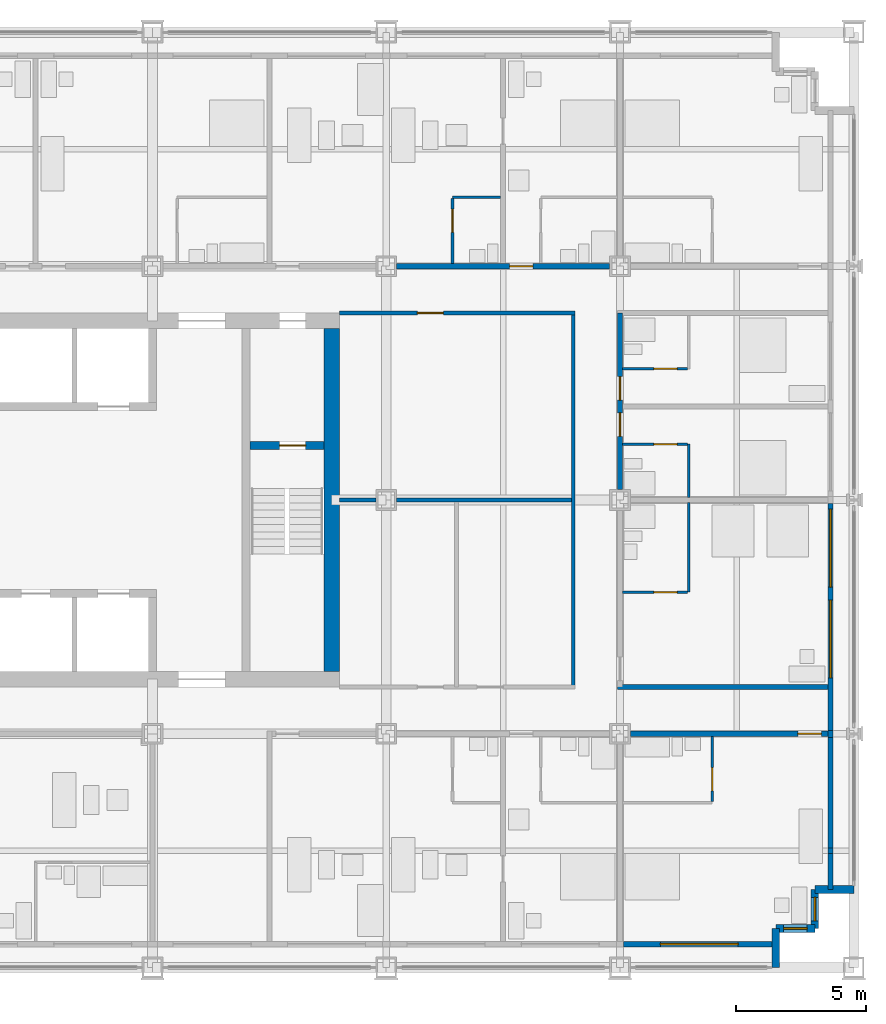
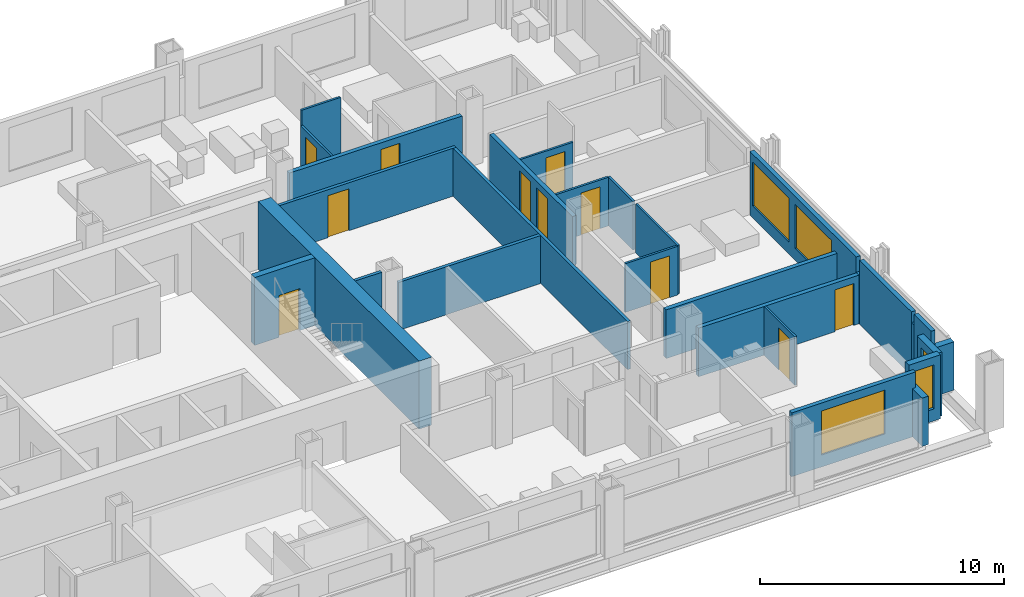
# One storey, part 13 of 18: 28 walls, 11 doors, 5 windows, 16 openings.
"""IFC4 building model written with IfcOpenShell, lengths in metres."""

from ifc_helpers import new_model, si_unit, direction, frame, frame_2d, origin, place, context, subcontext, project, spatial, rectangle, extrude, material, layer, layer_set, type_object, element, fill, save


model = new_model("IFC4")

# Units and contexts
model_context = context("Model", 3, precision=1e-05, world=origin(), true_north=direction((0.0, 1.0)))
body_context = subcontext(model_context, "Body", "Model", "MODEL_VIEW")
ifc_project = project(units=[si_unit("LENGTHUNIT", "METRE"), si_unit("AREAUNIT", "SQUARE_METRE"), si_unit("VOLUMEUNIT", "CUBIC_METRE"), si_unit("PLANEANGLEUNIT", "RADIAN"), si_unit("MASSUNIT", "GRAM", prefix="KILO")], contexts=[model_context])

# Site, building, storey
site_placement = place(None, origin())
site = spatial("IfcSite", under=ifc_project, at=site_placement, CompositionType="ELEMENT")
building_placement = place(site_placement, origin())
building = spatial("IfcBuilding", under=site, at=building_placement, Name="Loomwork Tower", CompositionType="ELEMENT")
storey_placement = place(building_placement, frame((0.0, 0.0, 72.199951171875)))
storey = spatial("IfcBuildingStorey", under=building, at=storey_placement, Name="L18", CompositionType="ELEMENT", Elevation=72.199951171875)

# Wall, opening, door
ifc_material_1 = material(Name="Concrete 14000 psi (97 MPa)", Category="concrete")
ifc_layer_1 = layer(ifc_material_1, 0.300048828125)
ifc_layer_set_1 = layer_set([ifc_layer_1], Name="Core shear wall 300")
wall_type_1 = type_object("IfcWallType", Name="Core shear wall 300", PredefinedType="SHEAR", material=ifc_layer_set_1)
wall_1_placement = place(storey_placement, frame((30.75, 20.10009765625, 0.0), z_axis=(0.0, 0.0, 1.0), x_axis=(1.0, 0.0, 0.0)))
wall_1 = element("IfcWall", 1, at=wall_1_placement, inside=storey, type_object=wall_type_1, Name="Stair B north wall L18", PredefinedType="SHEAR", context=body_context, shape_type="SweptSolid", body=[
    extrude(rectangle(XDim=2.85009765625, YDim=0.300048828125, at=frame_2d((1.425048828125, 0.0))), origin(), (0.0, 0.0, 1.0), 3.400146484375),
])
opening_1_placement = place(wall_1_placement, frame((1.14990234375, 0.0, 0.0)))
opening_1 = element("IfcOpeningElement", 2, at=opening_1_placement, cuts=wall_1, Name="Opening D4", PredefinedType="OPENING", context=body_context, shape_type="SweptSolid", body=[
    extrude(rectangle(XDim=1.0, YDim=2.10009765625, at=frame_2d((0.5, 1.050048828125))), frame((0.0, 0.159912109375, 0.0), z_axis=(0.0, -1.0, 0.0), x_axis=(1.0, 0.0, 0.0)), (0.0, 0.0, 1.0), 0.320068359375),
])
ifc_material_2 = material(Name="Hollow metal door and frame")
door_type_1 = type_object("IfcDoorType", Name="Stair door 1000", OperationType="SINGLE_SWING_RIGHT", PredefinedType="DOOR", material=ifc_material_2)
door_1_placement = place(opening_1_placement, frame((1.0, 0.0, 0.0), z_axis=(0.0, 0.0, 1.0), x_axis=(-1.0, 0.0, 0.0)))
door_1 = element("IfcDoor", 3, at=door_1_placement, inside=storey, type_object=door_type_1, Name="Stair B door", OperationType="SINGLE_SWING_LEFT", OverallHeight=2.10009765625, OverallWidth=1.0, PredefinedType="DOOR", context=body_context, shape_type="SweptSolid", body=[
    extrude(rectangle(XDim=1.0, YDim=2.10009765625, at=frame_2d((0.5, 1.050048828125))), frame((0.0, 0.02490234375, 0.0), z_axis=(0.0, -1.0, 0.0), x_axis=(1.0, 0.0, 0.0)), (0.0, 0.0, 1.0), 0.050048828125),
])
fill(opening_1, door_1)

# Wall
ifc_material_3 = material(Name="Concrete 14000 psi (97 MPa)", Category="concrete")
ifc_layer_2 = layer(ifc_material_3, 0.60009765625)
ifc_layer_set_2 = layer_set([ifc_layer_2], Name="Core shear wall 600")
wall_type_2 = type_object("IfcWallType", Name="Core shear wall 600", PredefinedType="SHEAR", material=ifc_layer_set_2)
wall_2_placement = place(storey_placement, frame((33.89990234375, 11.39990234375, 0.0), z_axis=(0.0, 0.0, 1.0), x_axis=(0.0, 1.0, 0.0)))
element("IfcWall", 4, at=wall_2_placement, inside=storey, type_object=wall_type_2, Name="Core wall east L18", PredefinedType="SHEAR", context=body_context, shape_type="SweptSolid", body=[
    extrude(rectangle(XDim=13.2001953125, YDim=0.60009765625, at=frame_2d((6.60009765625, 0.0))), origin(), (0.0, 0.0, 1.0), 3.400146484375),
])

# Wall, opening, door
ifc_material_4 = material(Name="Gypsum board on steel studs, one-hour", Category="steel")
ifc_layer_3 = layer(ifc_material_4, 0.199951171875)
ifc_layer_set_3 = layer_set([ifc_layer_3], Name="Corridor wall 200")
wall_type_3 = type_object("IfcWallType", Name="Corridor wall 200", PredefinedType="PARTITIONING", material=ifc_layer_set_3)
wall_3_placement = place(storey_placement, frame((45.39990234375, 9.0, 0.0), z_axis=(0.0, 0.0, 1.0), x_axis=(1.0, 0.0, 0.0)))
wall_3 = element("IfcWall", 5, at=wall_3_placement, inside=storey, type_object=wall_type_3, Name="South corridor wall 6", PredefinedType="PARTITIONING", context=body_context, shape_type="SweptSolid", body=[
    extrude(rectangle(XDim=7.60009765625, YDim=0.199951171875, at=frame_2d((3.800048828125, 0.0))), origin(), (0.0, 0.0, 1.0), 2.43798828125),
])
opening_2_placement = place(wall_3_placement, frame((6.449951171875, 0.0, 0.0)))
opening_2 = element("IfcOpeningElement", 6, at=opening_2_placement, cuts=wall_3, Name="Opening D1", PredefinedType="OPENING", context=body_context, shape_type="SweptSolid", body=[
    extrude(rectangle(XDim=0.89990234375, YDim=2.10009765625, at=frame_2d((0.449951171875, 1.050048828125))), frame((0.0, 0.10986328125, 0.0), z_axis=(0.0, -1.0, 0.0), x_axis=(1.0, 0.0, 0.0)), (0.0, 0.0, 1.0), 0.219970703125),
])
ifc_material_5 = material(Name="Hollow metal door and frame")
door_type_2 = type_object("IfcDoorType", Name="Guest room entry door 900", OperationType="SINGLE_SWING_LEFT", PredefinedType="DOOR", material=ifc_material_5)
door_2_placement = place(opening_2_placement, frame((0.89990234375, 0.0, 0.0), z_axis=(0.0, 0.0, 1.0), x_axis=(-1.0, 0.0, 0.0)))
door_2 = element("IfcDoor", 7, at=door_2_placement, inside=storey, type_object=door_type_2, Name="Guest room entry door L18 6", OperationType="SINGLE_SWING_LEFT", OverallHeight=2.10009765625, OverallWidth=0.89990234375, PredefinedType="DOOR", context=body_context, shape_type="SweptSolid", body=[
    extrude(rectangle(XDim=0.89990234375, YDim=2.10009765625, at=frame_2d((0.449951171875, 1.050048828125))), frame((0.0, 0.02490234375, 0.0), z_axis=(0.0, -1.0, 0.0), x_axis=(1.0, 0.0, 0.0)), (0.0, 0.0, 1.0), 0.050048828125),
])
fill(opening_2, door_2)

wall_4_placement = place(storey_placement, frame((36.39990234375, 27.0, 0.0), z_axis=(0.0, 0.0, 1.0), x_axis=(1.0, 0.0, 0.0)))
wall_4 = element("IfcWall", 8, at=wall_4_placement, inside=storey, type_object=wall_type_3, Name="North corridor wall 5", PredefinedType="PARTITIONING", context=body_context, shape_type="SweptSolid", body=[
    extrude(rectangle(XDim=8.2001953125, YDim=0.199951171875, at=frame_2d((4.10009765625, 0.0))), origin(), (0.0, 0.0, 1.0), 2.43798828125),
])
opening_3_placement = place(wall_4_placement, frame((4.35009765625, 0.0, 0.0)))
opening_3 = element("IfcOpeningElement", 9, at=opening_3_placement, cuts=wall_4, Name="Opening D1", PredefinedType="OPENING", context=body_context, shape_type="SweptSolid", body=[
    extrude(rectangle(XDim=0.89990234375, YDim=2.10009765625, at=frame_2d((0.449951171875, 1.050048828125))), frame((0.0, 0.10986328125, 0.0), z_axis=(0.0, -1.0, 0.0), x_axis=(1.0, 0.0, 0.0)), (0.0, 0.0, 1.0), 0.219970703125),
])
door_3_placement = place(opening_3_placement, origin())
door_3 = element("IfcDoor", 10, at=door_3_placement, inside=storey, type_object=door_type_2, Name="Guest room entry door L18 12", OperationType="SINGLE_SWING_LEFT", OverallHeight=2.10009765625, OverallWidth=0.89990234375, PredefinedType="DOOR", context=body_context, shape_type="SweptSolid", body=[
    extrude(rectangle(XDim=0.89990234375, YDim=2.10009765625, at=frame_2d((0.449951171875, 1.050048828125))), frame((0.0, 0.02490234375, 0.0), z_axis=(0.0, -1.0, 0.0), x_axis=(1.0, 0.0, 0.0)), (0.0, 0.0, 1.0), 0.050048828125),
])
fill(opening_3, door_3)

# Wall, openings, doors
wall_5_placement = place(storey_placement, frame((45.0, 18.39990234375, 0.0), z_axis=(0.0, 0.0, 1.0), x_axis=(0.0, 1.0, 0.0)))
wall_5 = element("IfcWall", 11, at=wall_5_placement, inside=storey, type_object=wall_type_3, Name="East corridor wall 2", PredefinedType="PARTITIONING", context=body_context, shape_type="SweptSolid", body=[
    extrude(rectangle(XDim=6.800048828125, YDim=0.199951171875, at=frame_2d((3.39990234375, 0.0))), origin(), (0.0, 0.0, 1.0), 2.43798828125),
])
opening_4_placement = place(wall_5_placement, frame((2.050048828125, 0.0, 0.0)))
opening_4 = element("IfcOpeningElement", 12, at=opening_4_placement, cuts=wall_5, Name="Opening D1", PredefinedType="OPENING", context=body_context, shape_type="SweptSolid", body=[
    extrude(rectangle(XDim=0.89990234375, YDim=2.10009765625, at=frame_2d((0.449951171875, 1.050048828125))), frame((0.0, 0.10986328125, 0.0), z_axis=(0.0, -1.0, 0.0), x_axis=(1.0, 0.0, 0.0)), (0.0, 0.0, 1.0), 0.219970703125),
])
opening_5_placement = place(wall_5_placement, frame((3.449951171875, 0.0, 0.0)))
opening_5 = element("IfcOpeningElement", 13, at=opening_5_placement, cuts=wall_5, Name="Opening D1", PredefinedType="OPENING", context=body_context, shape_type="SweptSolid", body=[
    extrude(rectangle(XDim=0.89990234375, YDim=2.10009765625, at=frame_2d((0.449951171875, 1.050048828125))), frame((0.0, 0.10986328125, 0.0), z_axis=(0.0, -1.0, 0.0), x_axis=(1.0, 0.0, 0.0)), (0.0, 0.0, 1.0), 0.219970703125),
])
door_4_placement = place(opening_4_placement, frame((0.89990234375, 0.0, 0.0), z_axis=(0.0, 0.0, 1.0), x_axis=(-1.0, 0.0, 0.0)))
door_4 = element("IfcDoor", 14, at=door_4_placement, inside=storey, type_object=door_type_2, Name="Guest room entry door L18 17", OperationType="SINGLE_SWING_LEFT", OverallHeight=2.10009765625, OverallWidth=0.89990234375, PredefinedType="DOOR", context=body_context, shape_type="SweptSolid", body=[
    extrude(rectangle(XDim=0.89990234375, YDim=2.10009765625, at=frame_2d((0.449951171875, 1.050048828125))), frame((0.0, 0.02490234375, 0.0), z_axis=(0.0, -1.0, 0.0), x_axis=(1.0, 0.0, 0.0)), (0.0, 0.0, 1.0), 0.050048828125),
])
fill(opening_4, door_4)
door_5_placement = place(opening_5_placement, frame((0.89990234375, 0.0, 0.0), z_axis=(0.0, 0.0, 1.0), x_axis=(-1.0, 0.0, 0.0)))
door_5 = element("IfcDoor", 15, at=door_5_placement, inside=storey, type_object=door_type_2, Name="Guest room entry door L18 18", OperationType="SINGLE_SWING_RIGHT", OverallHeight=2.10009765625, OverallWidth=0.89990234375, PredefinedType="DOOR", context=body_context, shape_type="SweptSolid", body=[
    extrude(rectangle(XDim=0.89990234375, YDim=2.10009765625, at=frame_2d((0.449951171875, 1.050048828125))), frame((0.0, 0.02490234375, 0.0), z_axis=(0.0, -1.0, 0.0), x_axis=(1.0, 0.0, 0.0)), (0.0, 0.0, 1.0), 0.050048828125),
])
fill(opening_5, door_5)

# Wall
wall_6_placement = place(storey_placement, frame((44.89990234375, 10.800048828125, 0.0), z_axis=(0.0, 0.0, 1.0), x_axis=(1.0, 0.0, 0.0)))
element("IfcWall", 16, at=wall_6_placement, inside=storey, type_object=wall_type_3, Name="East band end wall S", PredefinedType="PARTITIONING", context=body_context, shape_type="SweptSolid", body=[
    extrude(rectangle(XDim=8.10009765625, YDim=0.199951171875, at=frame_2d((4.050048828125, 0.0))), origin(), (0.0, 0.0, 1.0), 2.43798828125),
])

# Wall, opening, door
ifc_material_6 = material(Name="Cement board on steel studs", Category="steel")
ifc_layer_4 = layer(ifc_material_6, 0.10009765625)
ifc_layer_set_4 = layer_set([ifc_layer_4], Name="En-suite partition 100")
wall_type_4 = type_object("IfcWallType", Name="En-suite partition 100", PredefinedType="PARTITIONING", material=ifc_layer_set_4)
wall_7_placement = place(storey_placement, frame((48.550048828125, 8.89990234375, 0.0), z_axis=(0.0, 0.0, 1.0), x_axis=(0.0, -1.0, 0.0)))
wall_7 = element("IfcWall", 17, at=wall_7_placement, inside=storey, type_object=wall_type_4, Name="En-suite side wall L18 room 6", PredefinedType="PARTITIONING", context=body_context, shape_type="SweptSolid", body=[
    extrude(rectangle(XDim=2.5, YDim=0.10009765625, at=frame_2d((1.25, 0.0))), origin(), (0.0, 0.0, 1.0), 2.43798828125),
])
opening_6_placement = place(wall_7_placement, frame((1.199951171875, 0.0, 0.0)))
opening_6 = element("IfcOpeningElement", 18, at=opening_6_placement, cuts=wall_7, Name="Opening D2", PredefinedType="OPENING", context=body_context, shape_type="SweptSolid", body=[
    extrude(rectangle(XDim=0.89990234375, YDim=2.10009765625, at=frame_2d((0.449951171875, 1.050048828125))), frame((0.0, 0.06005859375, 0.0), z_axis=(0.0, -1.0, 0.0), x_axis=(1.0, 0.0, 0.0)), (0.0, 0.0, 1.0), 0.1201171875),
])
ifc_material_7 = material(Name="Hollow metal door and frame")
door_type_3 = type_object("IfcDoorType", Name="En-suite door 900", OperationType="SINGLE_SWING_LEFT", PredefinedType="DOOR", material=ifc_material_7)
door_6_placement = place(opening_6_placement, frame((0.89990234375, 0.0, 0.0), z_axis=(0.0, 0.0, 1.0), x_axis=(-1.0, 0.0, 0.0)))
door_6 = element("IfcDoor", 19, at=door_6_placement, inside=storey, type_object=door_type_3, Name="En-suite door room 6", OperationType="SINGLE_SWING_LEFT", OverallHeight=2.10009765625, OverallWidth=0.89990234375, PredefinedType="DOOR", context=body_context, shape_type="SweptSolid", body=[
    extrude(rectangle(XDim=0.89990234375, YDim=2.10009765625, at=frame_2d((0.449951171875, 1.050048828125))), frame((0.0, 0.02490234375, 0.0), z_axis=(0.0, -1.0, 0.0), x_axis=(1.0, 0.0, 0.0)), (0.0, 0.0, 1.0), 0.050048828125),
])
fill(opening_6, door_6)

# Wall
wall_8_placement = place(storey_placement, frame((38.550048828125, 29.64990234375, 0.0), z_axis=(0.0, 0.0, 1.0), x_axis=(1.0, 0.0, 0.0)))
element("IfcWall", 20, at=wall_8_placement, inside=storey, type_object=wall_type_4, Name="En-suite wall L18 room 11", PredefinedType="PARTITIONING", context=body_context, shape_type="SweptSolid", body=[
    extrude(rectangle(XDim=1.849853515625, YDim=0.10009765625, at=frame_2d((0.9248046875, 0.0))), origin(), (0.0, 0.0, 1.0), 3.199951171875),
])

# Wall, opening, door
wall_9_placement = place(storey_placement, frame((38.550048828125, 27.10009765625, 0.0), z_axis=(0.0, 0.0, 1.0), x_axis=(0.0, 1.0, 0.0)))
wall_9 = element("IfcWall", 21, at=wall_9_placement, inside=storey, type_object=wall_type_4, Name="En-suite side wall L18 room 11", PredefinedType="PARTITIONING", context=body_context, shape_type="SweptSolid", body=[
    extrude(rectangle(XDim=2.5, YDim=0.10009765625, at=frame_2d((1.25, 0.0))), origin(), (0.0, 0.0, 1.0), 2.43798828125),
])
opening_7_placement = place(wall_9_placement, frame((1.199951171875, 0.0, 0.0)))
opening_7 = element("IfcOpeningElement", 22, at=opening_7_placement, cuts=wall_9, Name="Opening D2", PredefinedType="OPENING", context=body_context, shape_type="SweptSolid", body=[
    extrude(rectangle(XDim=0.89990234375, YDim=2.10009765625, at=frame_2d((0.449951171875, 1.050048828125))), frame((0.0, 0.06005859375, 0.0), z_axis=(0.0, -1.0, 0.0), x_axis=(1.0, 0.0, 0.0)), (0.0, 0.0, 1.0), 0.1201171875),
])
door_7_placement = place(opening_7_placement, frame((0.89990234375, 0.0, 0.0), z_axis=(0.0, 0.0, 1.0), x_axis=(-1.0, 0.0, 0.0)))
door_7 = element("IfcDoor", 23, at=door_7_placement, inside=storey, type_object=door_type_3, Name="Suite powder room door room 11", OperationType="SINGLE_SWING_LEFT", OverallHeight=2.10009765625, OverallWidth=0.89990234375, PredefinedType="DOOR", context=body_context, shape_type="SweptSolid", body=[
    extrude(rectangle(XDim=0.89990234375, YDim=2.10009765625, at=frame_2d((0.449951171875, 1.050048828125))), frame((0.0, 0.02490234375, 0.0), z_axis=(0.0, -1.0, 0.0), x_axis=(1.0, 0.0, 0.0)), (0.0, 0.0, 1.0), 0.050048828125),
])
fill(opening_7, door_7)

# Wall
wall_10_placement = place(storey_placement, frame((47.64990234375, 14.449951171875, 0.0), z_axis=(0.0, 0.0, 1.0), x_axis=(0.0, 1.0, 0.0)))
element("IfcWall", 24, at=wall_10_placement, inside=storey, type_object=wall_type_4, Name="En-suite wall L18 room 16", PredefinedType="PARTITIONING", context=body_context, shape_type="SweptSolid", body=[
    extrude(rectangle(XDim=3.449951171875, YDim=0.10009765625, at=frame_2d((1.72509765625, 0.0))), origin(), (0.0, 0.0, 1.0), 2.43798828125),
])

# Wall, opening, door
wall_11_placement = place(storey_placement, frame((45.10009765625, 14.449951171875, 0.0), z_axis=(0.0, 0.0, 1.0), x_axis=(1.0, 0.0, 0.0)))
wall_11 = element("IfcWall", 25, at=wall_11_placement, inside=storey, type_object=wall_type_4, Name="En-suite side wall L18 room 16", PredefinedType="PARTITIONING", context=body_context, shape_type="SweptSolid", body=[
    extrude(rectangle(XDim=2.5, YDim=0.10009765625, at=frame_2d((1.25, 0.0))), origin(), (0.0, 0.0, 1.0), 2.43798828125),
])
opening_8_placement = place(wall_11_placement, frame((1.199951171875, 0.0, 0.0)))
opening_8 = element("IfcOpeningElement", 26, at=opening_8_placement, cuts=wall_11, Name="Opening D2", PredefinedType="OPENING", context=body_context, shape_type="SweptSolid", body=[
    extrude(rectangle(XDim=0.89990234375, YDim=2.10009765625, at=frame_2d((0.449951171875, 1.050048828125))), frame((0.0, 0.06005859375, 0.0), z_axis=(0.0, -1.0, 0.0), x_axis=(1.0, 0.0, 0.0)), (0.0, 0.0, 1.0), 0.1201171875),
])
door_8_placement = place(opening_8_placement, origin())
door_8 = element("IfcDoor", 27, at=door_8_placement, inside=storey, type_object=door_type_3, Name="En-suite door room 16", OperationType="SINGLE_SWING_RIGHT", OverallHeight=2.10009765625, OverallWidth=0.89990234375, PredefinedType="DOOR", context=body_context, shape_type="SweptSolid", body=[
    extrude(rectangle(XDim=0.89990234375, YDim=2.10009765625, at=frame_2d((0.449951171875, 1.050048828125))), frame((0.0, 0.02490234375, 0.0), z_axis=(0.0, -1.0, 0.0), x_axis=(1.0, 0.0, 0.0)), (0.0, 0.0, 1.0), 0.050048828125),
])
fill(opening_8, door_8)

# Wall
wall_12_placement = place(storey_placement, frame((47.64990234375, 18.10009765625, 0.0), z_axis=(0.0, 0.0, 1.0), x_axis=(0.0, 1.0, 0.0)))
element("IfcWall", 28, at=wall_12_placement, inside=storey, type_object=wall_type_4, Name="En-suite wall L18 room 17", PredefinedType="PARTITIONING", context=body_context, shape_type="SweptSolid", body=[
    extrude(rectangle(XDim=2.0498046875, YDim=0.10009765625, at=frame_2d((1.02490234375, 0.0))), origin(), (0.0, 0.0, 1.0), 2.43798828125),
])

# Wall, opening, door
wall_13_placement = place(storey_placement, frame((45.10009765625, 20.14990234375, 0.0), z_axis=(0.0, 0.0, 1.0), x_axis=(1.0, 0.0, 0.0)))
wall_13 = element("IfcWall", 29, at=wall_13_placement, inside=storey, type_object=wall_type_4, Name="En-suite side wall L18 room 17", PredefinedType="PARTITIONING", context=body_context, shape_type="SweptSolid", body=[
    extrude(rectangle(XDim=2.5, YDim=0.10009765625, at=frame_2d((1.25, 0.0))), origin(), (0.0, 0.0, 1.0), 2.43798828125),
])
opening_9_placement = place(wall_13_placement, frame((1.199951171875, 0.0, 0.0)))
opening_9 = element("IfcOpeningElement", 30, at=opening_9_placement, cuts=wall_13, Name="Opening D2", PredefinedType="OPENING", context=body_context, shape_type="SweptSolid", body=[
    extrude(rectangle(XDim=0.89990234375, YDim=2.10009765625, at=frame_2d((0.449951171875, 1.050048828125))), frame((0.0, 0.06005859375, 0.0), z_axis=(0.0, -1.0, 0.0), x_axis=(1.0, 0.0, 0.0)), (0.0, 0.0, 1.0), 0.1201171875),
])
door_9_placement = place(opening_9_placement, frame((0.89990234375, 0.0, 0.0), z_axis=(0.0, 0.0, 1.0), x_axis=(-1.0, 0.0, 0.0)))
door_9 = element("IfcDoor", 31, at=door_9_placement, inside=storey, type_object=door_type_3, Name="En-suite door room 17", OperationType="SINGLE_SWING_LEFT", OverallHeight=2.10009765625, OverallWidth=0.89990234375, PredefinedType="DOOR", context=body_context, shape_type="SweptSolid", body=[
    extrude(rectangle(XDim=0.89990234375, YDim=2.10009765625, at=frame_2d((0.449951171875, 1.050048828125))), frame((0.0, 0.02490234375, 0.0), z_axis=(0.0, -1.0, 0.0), x_axis=(1.0, 0.0, 0.0)), (0.0, 0.0, 1.0), 0.050048828125),
])
fill(opening_9, door_9)

wall_14_placement = place(storey_placement, frame((45.10009765625, 23.050048828125, 0.0), z_axis=(0.0, 0.0, 1.0), x_axis=(1.0, 0.0, 0.0)))
wall_14 = element("IfcWall", 32, at=wall_14_placement, inside=storey, type_object=wall_type_4, Name="En-suite side wall L18 room 18", PredefinedType="PARTITIONING", context=body_context, shape_type="SweptSolid", body=[
    extrude(rectangle(XDim=2.5, YDim=0.10009765625, at=frame_2d((1.25, 0.0))), origin(), (0.0, 0.0, 1.0), 2.43798828125),
])
opening_10_placement = place(wall_14_placement, frame((1.199951171875, 0.0, 0.0)))
opening_10 = element("IfcOpeningElement", 33, at=opening_10_placement, cuts=wall_14, Name="Opening D3", PredefinedType="OPENING", context=body_context, shape_type="SweptSolid", body=[
    extrude(rectangle(XDim=0.89990234375, YDim=2.10009765625, at=frame_2d((0.449951171875, 1.050048828125))), frame((0.0, 0.06005859375, 0.0), z_axis=(0.0, -1.0, 0.0), x_axis=(1.0, 0.0, 0.0)), (0.0, 0.0, 1.0), 0.1201171875),
])
ifc_material_8 = material(Name="Hollow metal door and frame")
door_type_4 = type_object("IfcDoorType", Name="Accessible en-suite door 900", OperationType="SLIDING_TO_LEFT", PredefinedType="DOOR", material=ifc_material_8)
door_10_placement = place(opening_10_placement, origin())
door_10 = element("IfcDoor", 34, at=door_10_placement, inside=storey, type_object=door_type_4, Name="Accessible en-suite door room 18", OperationType="SLIDING_TO_LEFT", OverallHeight=2.10009765625, OverallWidth=0.89990234375, PredefinedType="DOOR", context=body_context, shape_type="SweptSolid", body=[
    extrude(rectangle(XDim=0.89990234375, YDim=2.10009765625, at=frame_2d((0.449951171875, 1.050048828125))), frame((0.0, 0.02490234375, 0.0), z_axis=(0.0, -1.0, 0.0), x_axis=(1.0, 0.0, 0.0)), (0.0, 0.0, 1.0), 0.050048828125),
])
fill(opening_10, door_10)

# Wall
ifc_material_9 = material(Name="Insulated steel stud wall with gypsum lining", Category="steel")
ifc_layer_5 = layer(ifc_material_9, 0.199951171875)
ifc_layer_set_5 = layer_set([ifc_layer_5], Name="Inner skin wall 200")
wall_type_5 = type_object("IfcWallType", Name="Inner skin wall 200", PredefinedType="SOLIDWALL", material=ifc_layer_set_5)
wall_15_placement = place(storey_placement, frame((53.10009765625, 3.0, 0.0), z_axis=(0.0, 0.0, 1.0), x_axis=(0.0, 1.0, 0.0)))
element("IfcWall", 35, at=wall_15_placement, inside=storey, type_object=wall_type_5, Name="Inner skin wall E", PredefinedType="SOLIDWALL", context=body_context, shape_type="SweptSolid", body=[
    extrude(rectangle(XDim=1.392578125, YDim=0.199951171875, at=frame_2d((0.6962890625, 0.0))), origin(), (0.0, 0.0, 1.0), 3.199951171875),
])

# Wall, opening, window
wall_16_placement = place(storey_placement, frame((45.135498046875, 0.89990234375, 0.0), z_axis=(0.0, 0.0, 1.0), x_axis=(1.0, 0.0, 0.0)))
wall_16 = element("IfcWall", 36, at=wall_16_placement, inside=storey, type_object=wall_type_5, Name="Inner skin wall S bay 11", PredefinedType="SOLIDWALL", context=body_context, shape_type="SweptSolid", body=[
    extrude(rectangle(XDim=5.864501953125, YDim=0.199951171875, at=frame_2d((2.93212890625, 0.0))), origin(), (0.0, 0.0, 1.0), 3.199951171875),
])
opening_11_placement = place(wall_16_placement, frame((1.41455078125, 0.0, 0.60009765625)))
opening_11 = element("IfcOpeningElement", 37, at=opening_11_placement, cuts=wall_16, Name="Opening CH1", PredefinedType="OPENING", context=body_context, shape_type="SweptSolid", body=[
    extrude(rectangle(XDim=3.0, YDim=2.199951171875, at=frame_2d((1.5, 1.10009765625))), frame((0.0, 0.10986328125, 0.0), z_axis=(0.0, -1.0, 0.0), x_axis=(1.0, 0.0, 0.0)), (0.0, 0.0, 1.0), 0.219970703125),
])
ifc_material_10 = material(Name="Aluminium frame with clear insulated glass", Category="aluminium")
window_type_1 = type_object("IfcWindowType", Name="Chicago window 3000", PartitioningType="TRIPLE_PANEL_VERTICAL", PredefinedType="WINDOW", material=ifc_material_10)
window_1_placement = place(opening_11_placement, origin())
window_1 = element("IfcWindow", 38, at=window_1_placement, inside=storey, type_object=window_type_1, Name="Chicago window L18 bay 6", OverallHeight=2.199951171875, OverallWidth=3.0, PartitioningType="TRIPLE_PANEL_VERTICAL", PredefinedType="WINDOW", context=body_context, shape_type="SweptSolid", body=[
    extrude(rectangle(XDim=3.0, YDim=2.199951171875, at=frame_2d((1.5, 1.10009765625))), frame((0.0, 0.030029296875, 0.0), z_axis=(0.0, -1.0, 0.0), x_axis=(1.0, 0.0, 0.0)), (0.0, 0.0, 1.0), 0.06005859375),
])
fill(opening_11, window_1)

# Walls
wall_17_placement = place(storey_placement, frame((53.10009765625, 4.392578125, 0.0), z_axis=(0.0, 0.0, 1.0), x_axis=(0.0, 1.0, 0.0)))
element("IfcWall", 39, at=wall_17_placement, inside=storey, type_object=wall_type_5, Name="Inner skin wall E bay 2", PredefinedType="SOLIDWALL", context=body_context, shape_type="SweptSolid", body=[
    extrude(rectangle(XDim=0.21484375, YDim=0.199951171875, at=frame_2d((0.107421875, 0.0))), origin(), (0.0, 0.0, 1.0), 2.6611328125),
])
wall_18_placement = place(storey_placement, frame((53.10009765625, 4.607421875, 0.0), z_axis=(0.0, 0.0, 1.0), x_axis=(0.0, 1.0, 0.0)))
element("IfcWall", 40, at=wall_18_placement, inside=storey, type_object=wall_type_5, Name="Inner skin wall E bay 3", PredefinedType="SOLIDWALL", context=body_context, shape_type="SweptSolid", body=[
    extrude(rectangle(XDim=4.25732421875, YDim=0.199951171875, at=frame_2d((2.128662109375, 0.0))), origin(), (0.0, 0.0, 1.0), 3.199951171875),
])
wall_19_placement = place(storey_placement, frame((53.10009765625, 8.86474609375, 0.0), z_axis=(0.0, 0.0, 1.0), x_axis=(0.0, 1.0, 0.0)))
element("IfcWall", 41, at=wall_19_placement, inside=storey, type_object=wall_type_5, Name="Inner skin wall E bay 4", PredefinedType="SOLIDWALL", context=body_context, shape_type="SweptSolid", body=[
    extrude(rectangle(XDim=0.2705078125, YDim=0.199951171875, at=frame_2d((0.13525390625, 0.0))), origin(), (0.0, 0.0, 1.0), 2.43798828125),
])

# Wall, openings, windows
wall_20_placement = place(storey_placement, frame((53.10009765625, 9.13525390625, 0.0), z_axis=(0.0, 0.0, 1.0), x_axis=(0.0, 1.0, 0.0)))
wall_20 = element("IfcWall", 42, at=wall_20_placement, inside=storey, type_object=wall_type_5, Name="Inner skin wall E bay 5", PredefinedType="SOLIDWALL", context=body_context, shape_type="SweptSolid", body=[
    extrude(rectangle(XDim=8.729248046875, YDim=0.199951171875, at=frame_2d((4.36474609375, 0.0))), origin(), (0.0, 0.0, 1.0), 3.199951171875),
])
opening_12_placement = place(wall_20_placement, frame((2.0146484375, 0.0, 0.60009765625)))
opening_12 = element("IfcOpeningElement", 43, at=opening_12_placement, cuts=wall_20, Name="Opening CH1", PredefinedType="OPENING", context=body_context, shape_type="SweptSolid", body=[
    extrude(rectangle(XDim=3.0, YDim=2.199951171875, at=frame_2d((1.5, 1.10009765625))), frame((0.0, 0.10986328125, 0.0), z_axis=(0.0, -1.0, 0.0), x_axis=(1.0, 0.0, 0.0)), (0.0, 0.0, 1.0), 0.219970703125),
])
opening_13_placement = place(wall_20_placement, frame((5.5146484375, 0.0, 0.60009765625)))
opening_13 = element("IfcOpeningElement", 44, at=opening_13_placement, cuts=wall_20, Name="Opening CH1", PredefinedType="OPENING", context=body_context, shape_type="SweptSolid", body=[
    extrude(rectangle(XDim=3.0, YDim=2.199951171875, at=frame_2d((1.5, 1.10009765625))), frame((0.0, 0.10986328125, 0.0), z_axis=(0.0, -1.0, 0.0), x_axis=(1.0, 0.0, 0.0)), (0.0, 0.0, 1.0), 0.219970703125),
])
window_2_placement = place(opening_12_placement, origin())
window_2 = element("IfcWindow", 45, at=window_2_placement, inside=storey, type_object=window_type_1, Name="Chicago window L18 bay 15", OverallHeight=2.199951171875, OverallWidth=3.0, PartitioningType="TRIPLE_PANEL_VERTICAL", PredefinedType="WINDOW", context=body_context, shape_type="SweptSolid", body=[
    extrude(rectangle(XDim=3.0, YDim=2.199951171875, at=frame_2d((1.5, 1.10009765625))), frame((0.0, 0.030029296875, 0.0), z_axis=(0.0, -1.0, 0.0), x_axis=(1.0, 0.0, 0.0)), (0.0, 0.0, 1.0), 0.06005859375),
])
fill(opening_12, window_2)
window_3_placement = place(opening_13_placement, origin())
window_3 = element("IfcWindow", 46, at=window_3_placement, inside=storey, type_object=window_type_1, Name="Chicago window L18 bay 15", OverallHeight=2.199951171875, OverallWidth=3.0, PartitioningType="TRIPLE_PANEL_VERTICAL", PredefinedType="WINDOW", context=body_context, shape_type="SweptSolid", body=[
    extrude(rectangle(XDim=3.0, YDim=2.199951171875, at=frame_2d((1.5, 1.10009765625))), frame((0.0, 0.030029296875, 0.0), z_axis=(0.0, -1.0, 0.0), x_axis=(1.0, 0.0, 0.0)), (0.0, 0.0, 1.0), 0.06005859375),
])
fill(opening_13, window_3)

# Wall
ifc_material_11 = material(Name="Limestone on concrete masonry", Category="masonry")
ifc_layer_6 = layer(ifc_material_11, 0.300048828125)
ifc_layer_set_6 = layer_set([ifc_layer_6], Name="Limestone corner wall 300")
wall_type_6 = type_object("IfcWallType", Name="Limestone corner wall 300", PredefinedType="SOLIDWALL", material=ifc_layer_set_6)
wall_21_placement = place(storey_placement, frame((51.0, 0.0, 0.0), z_axis=(0.0, 0.0, 1.0), x_axis=(0.0, 1.0, 0.0)))
element("IfcWall", 47, at=wall_21_placement, inside=storey, type_object=wall_type_6, Name="Stone corner wall SE 1", PredefinedType="SOLIDWALL", context=body_context, shape_type="SweptSolid", body=[
    extrude(rectangle(XDim=1.5, YDim=0.300048828125, at=frame_2d((0.75, 0.0))), origin(), (0.0, 0.0, 1.0), 2.420166015625),
])

# Wall, opening, window
wall_22_placement = place(storey_placement, frame((51.0, 1.5, 0.0), z_axis=(0.0, 0.0, 1.0), x_axis=(1.0, 0.0, 0.0)))
wall_22 = element("IfcWall", 48, at=wall_22_placement, inside=storey, type_object=wall_type_6, Name="Stone corner wall SE 2", PredefinedType="SOLIDWALL", context=body_context, shape_type="SweptSolid", body=[
    extrude(rectangle(XDim=1.5, YDim=0.300048828125, at=frame_2d((0.75, 0.0))), origin(), (0.0, 0.0, 1.0), 3.199951171875),
])
opening_14_placement = place(wall_22_placement, frame((0.300048828125, 0.0, 0.60009765625)))
opening_14 = element("IfcOpeningElement", 49, at=opening_14_placement, cuts=wall_22, Name="Opening CH2", PredefinedType="OPENING", context=body_context, shape_type="SweptSolid", body=[
    extrude(rectangle(XDim=0.89990234375, YDim=2.199951171875, at=frame_2d((0.449951171875, 1.10009765625))), frame((0.0, 0.159912109375, 0.0), z_axis=(0.0, -1.0, 0.0), x_axis=(1.0, 0.0, 0.0)), (0.0, 0.0, 1.0), 0.320068359375),
])
ifc_material_12 = material(Name="Aluminium frame with clear insulated glass", Category="aluminium")
window_type_2 = type_object("IfcWindowType", Name="Corner window 900", PartitioningType="SINGLE_PANEL", PredefinedType="WINDOW", material=ifc_material_12)
window_4_placement = place(opening_14_placement, origin())
window_4 = element("IfcWindow", 50, at=window_4_placement, inside=storey, type_object=window_type_2, Name="Corner window SE", OverallHeight=2.199951171875, OverallWidth=0.89990234375, PartitioningType="SINGLE_PANEL", PredefinedType="WINDOW", context=body_context, shape_type="SweptSolid", body=[
    extrude(rectangle(XDim=0.89990234375, YDim=2.199951171875, at=frame_2d((0.449951171875, 1.10009765625))), frame((0.0, 0.030029296875, 0.0), z_axis=(0.0, -1.0, 0.0), x_axis=(1.0, 0.0, 0.0)), (0.0, 0.0, 1.0), 0.06005859375),
])
fill(opening_14, window_4)

wall_23_placement = place(storey_placement, frame((52.5, 1.5, 0.0), z_axis=(0.0, 0.0, 1.0), x_axis=(0.0, 1.0, 0.0)))
wall_23 = element("IfcWall", 51, at=wall_23_placement, inside=storey, type_object=wall_type_6, Name="Stone corner wall SE 3", PredefinedType="SOLIDWALL", context=body_context, shape_type="SweptSolid", body=[
    extrude(rectangle(XDim=1.5, YDim=0.300048828125, at=frame_2d((0.75, 0.0))), origin(), (0.0, 0.0, 1.0), 3.199951171875),
])
opening_15_placement = place(wall_23_placement, frame((0.300048828125, 0.0, 0.60009765625)))
opening_15 = element("IfcOpeningElement", 52, at=opening_15_placement, cuts=wall_23, Name="Opening CH2", PredefinedType="OPENING", context=body_context, shape_type="SweptSolid", body=[
    extrude(rectangle(XDim=0.89990234375, YDim=2.199951171875, at=frame_2d((0.449951171875, 1.10009765625))), frame((0.0, 0.159912109375, 0.0), z_axis=(0.0, -1.0, 0.0), x_axis=(1.0, 0.0, 0.0)), (0.0, 0.0, 1.0), 0.320068359375),
])
window_5_placement = place(opening_15_placement, origin())
window_5 = element("IfcWindow", 53, at=window_5_placement, inside=storey, type_object=window_type_2, Name="Corner window SE", OverallHeight=2.199951171875, OverallWidth=0.89990234375, PartitioningType="SINGLE_PANEL", PredefinedType="WINDOW", context=body_context, shape_type="SweptSolid", body=[
    extrude(rectangle(XDim=0.89990234375, YDim=2.199951171875, at=frame_2d((0.449951171875, 1.10009765625))), frame((0.0, 0.030029296875, 0.0), z_axis=(0.0, -1.0, 0.0), x_axis=(1.0, 0.0, 0.0)), (0.0, 0.0, 1.0), 0.06005859375),
])
fill(opening_15, window_5)

# Wall
wall_24_placement = place(storey_placement, frame((52.5, 3.0, 0.0), z_axis=(0.0, 0.0, 1.0), x_axis=(1.0, 0.0, 0.0)))
element("IfcWall", 54, at=wall_24_placement, inside=storey, type_object=wall_type_6, Name="Stone corner wall SE 4", PredefinedType="SOLIDWALL", context=body_context, shape_type="SweptSolid", body=[
    extrude(rectangle(XDim=1.5, YDim=0.300048828125, at=frame_2d((0.75, 0.0))), origin(), (0.0, 0.0, 1.0), 2.420166015625),
])

# Wall, opening, door
ifc_material_13 = material(Name="Gypsum board on steel studs, one-hour", Category="steel")
ifc_layer_7 = layer(ifc_material_13, 0.14990234375)
ifc_layer_set_7 = layer_set([ifc_layer_7], Name="Service partition 150")
wall_type_7 = type_object("IfcWallType", Name="Service partition 150", PredefinedType="PARTITIONING", material=ifc_layer_set_7)
wall_25_placement = place(storey_placement, frame((34.199951171875, 25.199951171875, 0.0), z_axis=(0.0, 0.0, 1.0), x_axis=(1.0, 0.0, 0.0)))
wall_25 = element("IfcWall", 55, at=wall_25_placement, inside=storey, type_object=wall_type_7, Name="Service block wall N", PredefinedType="PARTITIONING", context=body_context, shape_type="SweptSolid", body=[
    extrude(rectangle(XDim=9.074951171875, YDim=0.14990234375, at=frame_2d((4.53759765625, 0.0))), origin(), (0.0, 0.0, 1.0), 2.404052734375),
])
opening_16_placement = place(wall_25_placement, frame((3.0, 0.0, 0.0)))
opening_16 = element("IfcOpeningElement", 56, at=opening_16_placement, cuts=wall_25, Name="Opening D5", PredefinedType="OPENING", context=body_context, shape_type="SweptSolid", body=[
    extrude(rectangle(XDim=1.0, YDim=2.10009765625, at=frame_2d((0.5, 1.050048828125))), frame((0.0, 0.0849609375, 0.0), z_axis=(0.0, -1.0, 0.0), x_axis=(1.0, 0.0, 0.0)), (0.0, 0.0, 1.0), 0.169921875),
])
ifc_material_14 = material(Name="Hollow metal door and frame")
door_type_5 = type_object("IfcDoorType", Name="Service door 1000", OperationType="SINGLE_SWING_LEFT", PredefinedType="DOOR", material=ifc_material_14)
door_11_placement = place(opening_16_placement, frame((1.0, 0.0, 0.0), z_axis=(0.0, 0.0, 1.0), x_axis=(-1.0, 0.0, 0.0)))
door_11 = element("IfcDoor", 57, at=door_11_placement, inside=storey, type_object=door_type_5, Name="Riser room door", OperationType="SINGLE_SWING_LEFT", OverallHeight=2.10009765625, OverallWidth=1.0, PredefinedType="DOOR", context=body_context, shape_type="SweptSolid", body=[
    extrude(rectangle(XDim=1.0, YDim=2.10009765625, at=frame_2d((0.5, 1.050048828125))), frame((0.0, 0.02490234375, 0.0), z_axis=(0.0, -1.0, 0.0), x_axis=(1.0, 0.0, 0.0)), (0.0, 0.0, 1.0), 0.050048828125),
])
fill(opening_16, door_11)

# Walls
wall_26_placement = place(storey_placement, frame((43.199951171875, 10.800048828125, 0.0), z_axis=(0.0, 0.0, 1.0), x_axis=(0.0, 1.0, 0.0)))
element("IfcWall", 58, at=wall_26_placement, inside=storey, type_object=wall_type_7, Name="Service block east wall", PredefinedType="PARTITIONING", context=body_context, shape_type="SweptSolid", body=[
    extrude(rectangle(XDim=14.39990234375, YDim=0.14990234375, at=frame_2d((7.199951171875, 0.0))), origin(), (0.0, 0.0, 1.0), 2.404052734375),
])
wall_27_placement = place(storey_placement, frame((34.199951171875, 18.0, 0.0), z_axis=(0.0, 0.0, 1.0), x_axis=(1.0, 0.0, 0.0)))
element("IfcWall", 59, at=wall_27_placement, inside=storey, type_object=wall_type_7, Name="Service block divider", PredefinedType="PARTITIONING", context=body_context, shape_type="SweptSolid", body=[
    extrude(rectangle(XDim=1.400146484375, YDim=0.14990234375, at=frame_2d((0.7001953125, 0.0))), origin(), (0.0, 0.0, 1.0), 3.199951171875),
])
wall_28_placement = place(storey_placement, frame((36.39990234375, 18.0, 0.0), z_axis=(0.0, 0.0, 1.0), x_axis=(1.0, 0.0, 0.0)))
element("IfcWall", 60, at=wall_28_placement, inside=storey, type_object=wall_type_7, Name="Service block divider", PredefinedType="PARTITIONING", context=body_context, shape_type="SweptSolid", body=[
    extrude(rectangle(XDim=6.72509765625, YDim=0.14990234375, at=frame_2d((3.362548828125, 0.0))), origin(), (0.0, 0.0, 1.0), 2.405029296875),
])

save(model, "model.ifc")
